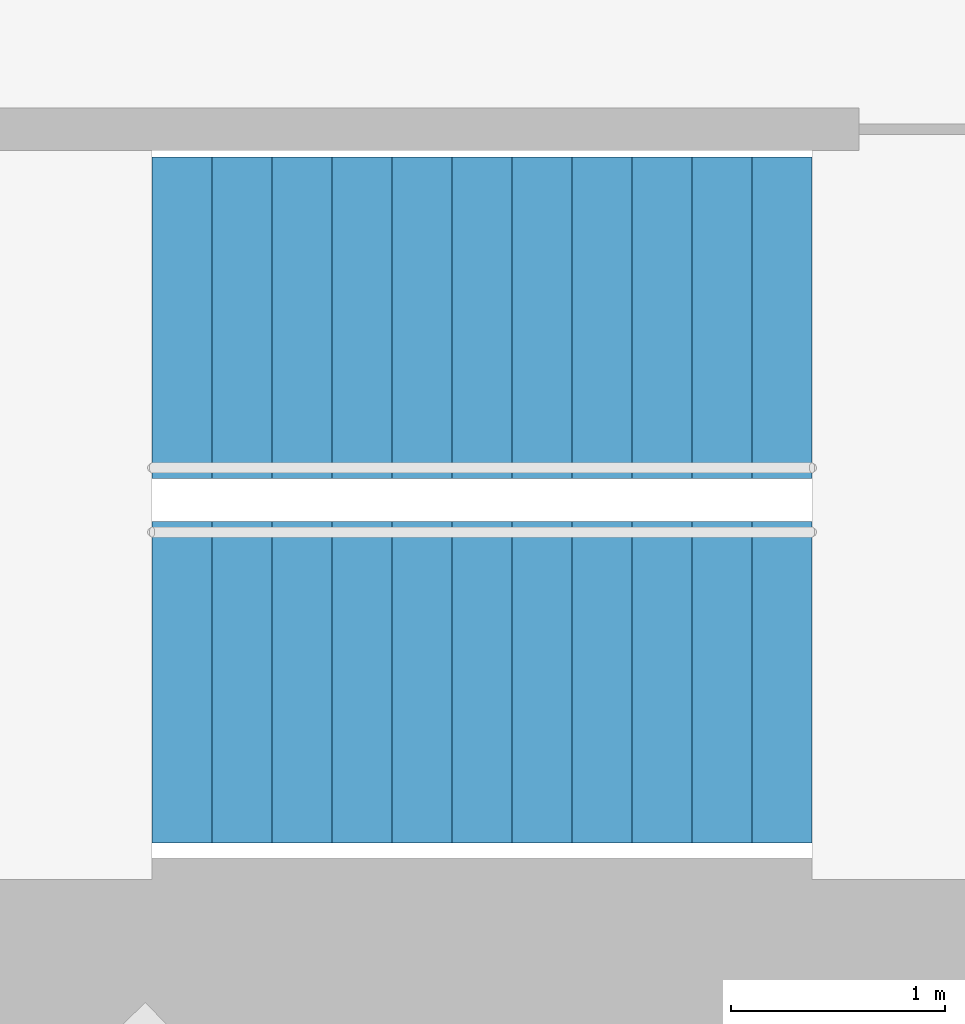
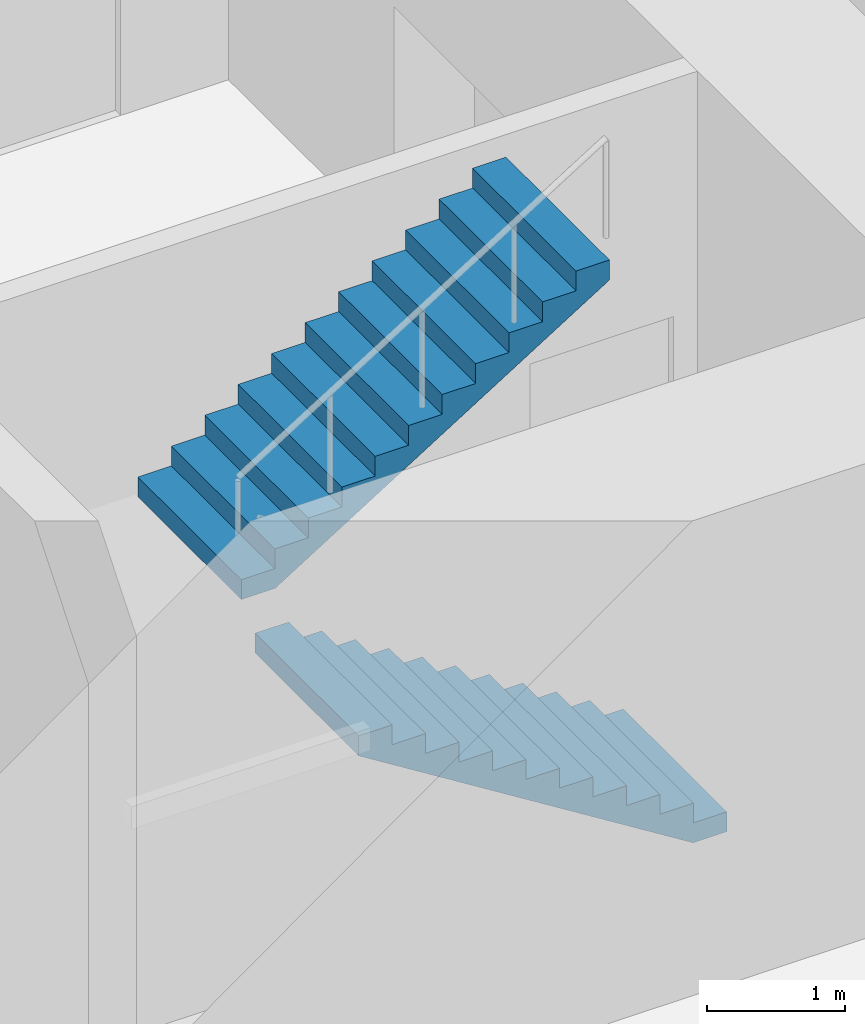
# One storey, part 17 of 18: 2 stair flights, 1 element without a shape of its own.
"""IFC4 building model written with IfcOpenShell, lengths in metres."""

from ifc_helpers import new_model, si_unit, direction, frame, origin, place, context, subcontext, project, spatial, triangles, material, type_object, element, aggregate, save


model = new_model("IFC4")

# Units and contexts
model_context = context("Model", 3, precision=1e-05, world=origin(), true_north=direction((0.0, 1.0)))
body_context = subcontext(model_context, "Body", "Model", "MODEL_VIEW")
ifc_project = project(units=[si_unit("LENGTHUNIT", "METRE"), si_unit("AREAUNIT", "SQUARE_METRE"), si_unit("VOLUMEUNIT", "CUBIC_METRE"), si_unit("PLANEANGLEUNIT", "RADIAN"), si_unit("MASSUNIT", "GRAM", prefix="KILO")], contexts=[model_context])

# Site, building, storey
site_placement = place(None, origin())
site = spatial("IfcSite", under=ifc_project, at=site_placement, CompositionType="ELEMENT")
building_placement = place(site_placement, origin())
building = spatial("IfcBuilding", under=site, at=building_placement, Name="Lantaw Convention Tower", CompositionType="ELEMENT")
storey_placement = place(building_placement, frame((0.0, 0.0, 184.60009765625)))
storey = spatial("IfcBuildingStorey", under=building, at=storey_placement, Name="L43", CompositionType="ELEMENT", Elevation=184.60009765625)

# Stair, stair flights
ifc_material = material(Name="Concrete C35/45", Category="concrete")
stair_type = type_object("IfcStairType", Name="Exit stair 1500 riser 175 in 2 flights", PredefinedType="HALF_TURN_STAIR", material=ifc_material)
stair_placement = place(storey_placement, origin())
stair = element("IfcStair", 1, at=stair_placement, inside=storey, type_object=stair_type, Name="Exit stair S2 L43", PredefinedType="HALF_TURN_STAIR")
stair_flight_type = type_object("IfcStairFlightType", Name="Stair flight 1500 riser 175", PredefinedType="STRAIGHT", material=ifc_material)
stair_flight_1_placement = place(storey_placement, frame((10.580078125, -5.97998046875, 0.0), z_axis=(0.0, 0.0, 1.0), x_axis=(-1.0, 0.0, 0.0)))
stair_flight_1 = element("IfcStairFlight", 2, at=stair_flight_1_placement, type_object=stair_flight_type, Name="S2 flight 1", NumberOfRisers=12, NumberOfTreads=11, PredefinedType="STRAIGHT", RiserHeight=0.175, TreadLength=0.28, context=body_context, shape_type="Tessellation", body=[
    triangles([(0.0, 0.75, 0.0), (0.0, 0.75, 0.175), (0.28, 0.75, 0.0), (0.28, 0.75, 0.175), (0.28, 0.75, 0.35), (0.28283517651771284, 0.75, 0.0), (0.28283517651771284, 0.75, 0.35), (0.56, 0.75, 0.17322801467642948), (0.56, 0.75, 0.35), (0.56, 0.75, 0.5249999999999999), (0.8400000000000001, 0.75, 0.34822801467642944), (0.8400000000000001, 0.75, 0.5249999999999999), (0.8400000000000001, 0.75, 0.7), (1.12, 0.75, 0.5232280146764294), (1.12, 0.75, 0.7), (1.12, 0.75, 0.875), (1.4000000000000001, 0.75, 0.6982280146764295), (1.4000000000000001, 0.75, 0.875), (1.4000000000000001, 0.75, 1.0499999999999998), (1.6800000000000002, 0.75, 0.8732280146764294), (1.6800000000000002, 0.75, 1.0499999999999998), (1.6800000000000002, 0.75, 1.2249999999999999), (1.9600000000000002, 0.75, 1.0482280146764293), (1.9600000000000002, 0.75, 1.2249999999999999), (1.9600000000000002, 0.75, 1.4), (2.24, 0.75, 1.2232280146764294), (2.24, 0.75, 1.4), (2.24, 0.75, 1.575), (2.5200000000000005, 0.75, 1.3982280146764294), (2.5200000000000005, 0.75, 1.575), (2.5200000000000005, 0.75, 1.75), (2.8000000000000003, 0.75, 1.5732280146764293), (2.8000000000000003, 0.75, 1.75), (2.8000000000000003, 0.75, 1.9249999999999998), (3.08, 0.75, 1.7482280146764293), (3.08, 0.75, 1.9249999999999998), (0.0, -0.75, 0.0), (0.0, -0.75, 0.175), (0.28, -0.75, 0.0), (0.28, -0.75, 0.175), (0.28, -0.75, 0.35), (0.28283517651771284, -0.75, 0.0), (0.28283517651771284, -0.75, 0.35), (0.56, -0.75, 0.17322801467642948), (0.56, -0.75, 0.35), (0.56, -0.75, 0.5249999999999999), (0.8400000000000001, -0.75, 0.34822801467642944), (0.8400000000000001, -0.75, 0.5249999999999999), (0.8400000000000001, -0.75, 0.7), (1.12, -0.75, 0.5232280146764294), (1.12, -0.75, 0.7), (1.12, -0.75, 0.875), (1.4000000000000001, -0.75, 0.6982280146764295), (1.4000000000000001, -0.75, 0.875), (1.4000000000000001, -0.75, 1.0499999999999998), (1.6800000000000002, -0.75, 0.8732280146764294), (1.6800000000000002, -0.75, 1.0499999999999998), (1.6800000000000002, -0.75, 1.2249999999999999), (1.9600000000000002, -0.75, 1.0482280146764293), (1.9600000000000002, -0.75, 1.2249999999999999), (1.9600000000000002, -0.75, 1.4), (2.24, -0.75, 1.2232280146764294), (2.24, -0.75, 1.4), (2.24, -0.75, 1.575), (2.5200000000000005, -0.75, 1.3982280146764294), (2.5200000000000005, -0.75, 1.575), (2.5200000000000005, -0.75, 1.75), (2.8000000000000003, -0.75, 1.5732280146764293), (2.8000000000000003, -0.75, 1.75), (2.8000000000000003, -0.75, 1.9249999999999998), (3.08, -0.75, 1.7482280146764293), (3.08, -0.75, 1.9249999999999998), (0.0, 0.15000000000000002, 0.175), (0.0, 0.15000000000000002, 0.0), (0.0, 0.0, 0.175), (0.0, 0.0, 0.0), (0.0, -0.15000000000000002, 0.175), (0.0, -0.15000000000000002, 0.0), (0.28, 0.15000000000000002, 0.35), (0.28, 0.15000000000000002, 0.175), (0.28, 0.0, 0.35), (0.28, 0.0, 0.175), (0.28, -0.15000000000000002, 0.35), (0.28, -0.15000000000000002, 0.175), (0.56, 0.15000000000000002, 0.5249999999999999), (0.56, 0.15000000000000002, 0.35), (0.56, 0.0, 0.5249999999999999), (0.56, 0.0, 0.35), (0.56, -0.15000000000000002, 0.5249999999999999), (0.56, -0.15000000000000002, 0.35), (0.8400000000000001, 0.15000000000000002, 0.7), (0.8400000000000001, 0.15000000000000002, 0.5249999999999999), (0.8400000000000001, 0.0, 0.7), (0.8400000000000001, 0.0, 0.5249999999999999), (0.8400000000000001, -0.15000000000000002, 0.7), (0.8400000000000001, -0.15000000000000002, 0.5249999999999999), (1.12, 0.15000000000000002, 0.875), (1.12, 0.15000000000000002, 0.7), (1.12, 0.0, 0.875), (1.12, 0.0, 0.7), (1.12, -0.15000000000000002, 0.875), (1.12, -0.15000000000000002, 0.7), (1.4000000000000001, 0.15000000000000002, 1.0499999999999998), (1.4000000000000001, 0.15000000000000002, 0.875), (1.4000000000000001, 0.0, 1.0499999999999998), (1.4000000000000001, 0.0, 0.875), (1.4000000000000001, -0.15000000000000002, 1.0499999999999998), (1.4000000000000001, -0.15000000000000002, 0.875), (1.6800000000000002, 0.15000000000000002, 1.2249999999999999), (1.6800000000000002, 0.15000000000000002, 1.0499999999999998), (1.6800000000000002, 0.0, 1.2249999999999999), (1.6800000000000002, 0.0, 1.0499999999999998), (1.6800000000000002, -0.15000000000000002, 1.2249999999999999), (1.6800000000000002, -0.15000000000000002, 1.0499999999999998), (1.9600000000000002, 0.15000000000000002, 1.4), (1.9600000000000002, 0.15000000000000002, 1.2249999999999999), (1.9600000000000002, 0.0, 1.4), (1.9600000000000002, 0.0, 1.2249999999999999), (1.9600000000000002, -0.15000000000000002, 1.4), (1.9600000000000002, -0.15000000000000002, 1.2249999999999999), (2.24, 0.15000000000000002, 1.575), (2.24, 0.15000000000000002, 1.4), (2.24, 0.0, 1.575), (2.24, 0.0, 1.4), (2.24, -0.15000000000000002, 1.575), (2.24, -0.15000000000000002, 1.4), (2.5200000000000005, 0.15000000000000002, 1.75), (2.5200000000000005, 0.15000000000000002, 1.575), (2.5200000000000005, 0.0, 1.75), (2.5200000000000005, 0.0, 1.575), (2.5200000000000005, -0.15000000000000002, 1.75), (2.5200000000000005, -0.15000000000000002, 1.575), (2.8000000000000003, 0.15000000000000002, 1.9249999999999998), (2.8000000000000003, 0.15000000000000002, 1.75), (2.8000000000000003, 0.0, 1.9249999999999998), (2.8000000000000003, 0.0, 1.75), (2.8000000000000003, -0.15000000000000002, 1.9249999999999998), (2.8000000000000003, -0.15000000000000002, 1.75), (0.28283517651771284, 0.15000000000000002, 0.35), (0.28283517651771284, 0.0, 0.35), (0.28283517651771284, -0.15000000000000002, 0.35), (3.08, 0.15000000000000002, 1.9249999999999998), (3.08, 0.0, 1.9249999999999998), (3.08, -0.15000000000000002, 1.9249999999999998), (3.08, 0.15000000000000002, 1.7482280146764293), (3.08, 0.0, 1.7482280146764293), (3.08, -0.15000000000000002, 1.7482280146764293), (2.8000000000000003, 0.15000000000000002, 1.5732280146764293), (2.8000000000000003, 0.0, 1.5732280146764293), (2.8000000000000003, -0.15000000000000002, 1.5732280146764293), (2.5200000000000005, 0.15000000000000002, 1.3982280146764294), (2.5200000000000005, 0.0, 1.3982280146764294), (2.5200000000000005, -0.15000000000000002, 1.3982280146764294), (2.24, 0.15000000000000002, 1.2232280146764294), (2.24, 0.0, 1.2232280146764294), (2.24, -0.15000000000000002, 1.2232280146764294), (1.9600000000000002, 0.15000000000000002, 1.0482280146764293), (1.9600000000000002, 0.0, 1.0482280146764293), (1.9600000000000002, -0.15000000000000002, 1.0482280146764293), (1.6800000000000002, 0.15000000000000002, 0.8732280146764294), (1.6800000000000002, 0.0, 0.8732280146764294), (1.6800000000000002, -0.15000000000000002, 0.8732280146764294), (1.4000000000000001, 0.15000000000000002, 0.6982280146764295), (1.4000000000000001, 0.0, 0.6982280146764295), (1.4000000000000001, -0.15000000000000002, 0.6982280146764295), (1.12, 0.15000000000000002, 0.5232280146764294), (1.12, 0.0, 0.5232280146764294), (1.12, -0.15000000000000002, 0.5232280146764294), (0.8400000000000001, 0.15000000000000002, 0.34822801467642944), (0.8400000000000001, 0.0, 0.34822801467642944), (0.8400000000000001, -0.15000000000000002, 0.34822801467642944), (0.56, 0.15000000000000002, 0.17322801467642948), (0.56, 0.0, 0.17322801467642948), (0.56, -0.15000000000000002, 0.17322801467642948), (0.28283517651771284, 0.15000000000000002, 0.0), (0.28283517651771284, 0.0, 0.0), (0.28283517651771284, -0.15000000000000002, 0.0), (0.28, 0.15000000000000002, 0.0), (0.28, 0.0, 0.0), (0.28, -0.15000000000000002, 0.0)], [[1, 4, 3], [1, 2, 4], [3, 4, 6], [4, 7, 6], [4, 5, 7], [6, 9, 8], [6, 7, 9], [8, 9, 11], [9, 12, 11], [9, 10, 12], [11, 12, 14], [12, 15, 14], [12, 13, 15], [14, 15, 17], [15, 18, 17], [15, 16, 18], [17, 18, 20], [18, 21, 20], [18, 19, 21], [20, 21, 23], [21, 24, 23], [21, 22, 24], [23, 24, 26], [24, 27, 26], [24, 25, 27], [26, 27, 29], [27, 30, 29], [27, 28, 30], [29, 30, 32], [30, 33, 32], [30, 31, 33], [32, 33, 35], [33, 36, 35], [33, 34, 36], [37, 39, 40], [37, 40, 38], [39, 42, 40], [40, 42, 43], [40, 43, 41], [42, 44, 45], [42, 45, 43], [44, 47, 45], [45, 47, 48], [45, 48, 46], [47, 50, 48], [48, 50, 51], [48, 51, 49], [50, 53, 51], [51, 53, 54], [51, 54, 52], [53, 56, 54], [54, 56, 57], [54, 57, 55], [56, 59, 57], [57, 59, 60], [57, 60, 58], [59, 62, 60], [60, 62, 63], [60, 63, 61], [62, 65, 63], [63, 65, 66], [63, 66, 64], [65, 68, 66], [66, 68, 69], [66, 69, 67], [68, 71, 69], [69, 71, 72], [69, 72, 70], [1, 73, 2], [1, 74, 73], [74, 75, 73], [74, 76, 75], [76, 77, 75], [76, 78, 77], [78, 38, 77], [78, 37, 38], [4, 79, 5], [4, 80, 79], [80, 81, 79], [80, 82, 81], [82, 83, 81], [82, 84, 83], [84, 41, 83], [84, 40, 41], [9, 85, 10], [9, 86, 85], [86, 87, 85], [86, 88, 87], [88, 89, 87], [88, 90, 89], [90, 46, 89], [90, 45, 46], [12, 91, 13], [12, 92, 91], [92, 93, 91], [92, 94, 93], [94, 95, 93], [94, 96, 95], [96, 49, 95], [96, 48, 49], [15, 97, 16], [15, 98, 97], [98, 99, 97], [98, 100, 99], [100, 101, 99], [100, 102, 101], [102, 52, 101], [102, 51, 52], [18, 103, 19], [18, 104, 103], [104, 105, 103], [104, 106, 105], [106, 107, 105], [106, 108, 107], [108, 55, 107], [108, 54, 55], [21, 109, 22], [21, 110, 109], [110, 111, 109], [110, 112, 111], [112, 113, 111], [112, 114, 113], [114, 58, 113], [114, 57, 58], [24, 115, 25], [24, 116, 115], [116, 117, 115], [116, 118, 117], [118, 119, 117], [118, 120, 119], [120, 61, 119], [120, 60, 61], [27, 121, 28], [27, 122, 121], [122, 123, 121], [122, 124, 123], [124, 125, 123], [124, 126, 125], [126, 64, 125], [126, 63, 64], [30, 127, 31], [30, 128, 127], [128, 129, 127], [128, 130, 129], [130, 131, 129], [130, 132, 131], [132, 67, 131], [132, 66, 67], [33, 133, 34], [33, 134, 133], [134, 135, 133], [134, 136, 135], [136, 137, 135], [136, 138, 137], [138, 70, 137], [138, 69, 70], [2, 80, 4], [2, 73, 80], [73, 82, 80], [73, 75, 82], [75, 84, 82], [75, 77, 84], [77, 40, 84], [77, 38, 40], [5, 139, 7], [5, 79, 139], [79, 140, 139], [79, 81, 140], [81, 141, 140], [81, 83, 141], [83, 43, 141], [83, 41, 43], [7, 86, 9], [7, 139, 86], [139, 88, 86], [139, 140, 88], [140, 90, 88], [140, 141, 90], [141, 45, 90], [141, 43, 45], [10, 92, 12], [10, 85, 92], [85, 94, 92], [85, 87, 94], [87, 96, 94], [87, 89, 96], [89, 48, 96], [89, 46, 48], [13, 98, 15], [13, 91, 98], [91, 100, 98], [91, 93, 100], [93, 102, 100], [93, 95, 102], [95, 51, 102], [95, 49, 51], [16, 104, 18], [16, 97, 104], [97, 106, 104], [97, 99, 106], [99, 108, 106], [99, 101, 108], [101, 54, 108], [101, 52, 54], [19, 110, 21], [19, 103, 110], [103, 112, 110], [103, 105, 112], [105, 114, 112], [105, 107, 114], [107, 57, 114], [107, 55, 57], [22, 116, 24], [22, 109, 116], [109, 118, 116], [109, 111, 118], [111, 120, 118], [111, 113, 120], [113, 60, 120], [113, 58, 60], [25, 122, 27], [25, 115, 122], [115, 124, 122], [115, 117, 124], [117, 126, 124], [117, 119, 126], [119, 63, 126], [119, 61, 63], [28, 128, 30], [28, 121, 128], [121, 130, 128], [121, 123, 130], [123, 132, 130], [123, 125, 132], [125, 66, 132], [125, 64, 66], [31, 134, 33], [31, 127, 134], [127, 136, 134], [127, 129, 136], [129, 138, 136], [129, 131, 138], [131, 69, 138], [131, 67, 69], [34, 142, 36], [34, 133, 142], [133, 143, 142], [133, 135, 143], [135, 144, 143], [135, 137, 144], [137, 72, 144], [137, 70, 72], [36, 145, 35], [36, 142, 145], [142, 146, 145], [142, 143, 146], [143, 147, 146], [143, 144, 147], [144, 71, 147], [144, 72, 71], [35, 148, 32], [35, 145, 148], [145, 149, 148], [145, 146, 149], [146, 150, 149], [146, 147, 150], [147, 68, 150], [147, 71, 68], [32, 151, 29], [32, 148, 151], [148, 152, 151], [148, 149, 152], [149, 153, 152], [149, 150, 153], [150, 65, 153], [150, 68, 65], [29, 154, 26], [29, 151, 154], [151, 155, 154], [151, 152, 155], [152, 156, 155], [152, 153, 156], [153, 62, 156], [153, 65, 62], [26, 157, 23], [26, 154, 157], [154, 158, 157], [154, 155, 158], [155, 159, 158], [155, 156, 159], [156, 59, 159], [156, 62, 59], [23, 160, 20], [23, 157, 160], [157, 161, 160], [157, 158, 161], [158, 162, 161], [158, 159, 162], [159, 56, 162], [159, 59, 56], [20, 163, 17], [20, 160, 163], [160, 164, 163], [160, 161, 164], [161, 165, 164], [161, 162, 165], [162, 53, 165], [162, 56, 53], [17, 166, 14], [17, 163, 166], [163, 167, 166], [163, 164, 167], [164, 168, 167], [164, 165, 168], [165, 50, 168], [165, 53, 50], [14, 169, 11], [14, 166, 169], [166, 170, 169], [166, 167, 170], [167, 171, 170], [167, 168, 171], [168, 47, 171], [168, 50, 47], [11, 172, 8], [11, 169, 172], [169, 173, 172], [169, 170, 173], [170, 174, 173], [170, 171, 174], [171, 44, 174], [171, 47, 44], [8, 175, 6], [8, 172, 175], [172, 176, 175], [172, 173, 176], [173, 177, 176], [173, 174, 177], [174, 42, 177], [174, 44, 42], [6, 178, 3], [6, 175, 178], [175, 179, 178], [175, 176, 179], [176, 180, 179], [176, 177, 180], [177, 39, 180], [177, 42, 39], [3, 74, 1], [3, 178, 74], [178, 76, 74], [178, 179, 76], [179, 78, 76], [179, 180, 78], [180, 37, 78], [180, 39, 37]], closed=True),
])
stair_flight_2_placement = place(storey_placement, frame((7.5, -4.280029296875, 2.099853515625), z_axis=(0.0, 0.0, 1.0), x_axis=(1.0, 0.0, 0.0)))
stair_flight_2 = element("IfcStairFlight", 3, at=stair_flight_2_placement, type_object=stair_flight_type, Name="S2 flight 2", NumberOfRisers=12, NumberOfTreads=11, PredefinedType="STRAIGHT", RiserHeight=0.175, TreadLength=0.28, context=body_context, shape_type="Tessellation", body=[
    triangles([(0.0, 0.75, 0.0), (0.0, 0.75, 0.175), (0.28, 0.75, 0.0), (0.28, 0.75, 0.175), (0.28, 0.75, 0.35), (0.28283517651771284, 0.75, 0.0), (0.28283517651771284, 0.75, 0.35), (0.56, 0.75, 0.17322801467642948), (0.56, 0.75, 0.35), (0.56, 0.75, 0.5249999999999999), (0.8400000000000001, 0.75, 0.34822801467642944), (0.8400000000000001, 0.75, 0.5249999999999999), (0.8400000000000001, 0.75, 0.7), (1.12, 0.75, 0.5232280146764294), (1.12, 0.75, 0.7), (1.12, 0.75, 0.875), (1.4000000000000001, 0.75, 0.6982280146764295), (1.4000000000000001, 0.75, 0.875), (1.4000000000000001, 0.75, 1.0499999999999998), (1.6800000000000002, 0.75, 0.8732280146764294), (1.6800000000000002, 0.75, 1.0499999999999998), (1.6800000000000002, 0.75, 1.2249999999999999), (1.9600000000000002, 0.75, 1.0482280146764293), (1.9600000000000002, 0.75, 1.2249999999999999), (1.9600000000000002, 0.75, 1.4), (2.24, 0.75, 1.2232280146764294), (2.24, 0.75, 1.4), (2.24, 0.75, 1.575), (2.5200000000000005, 0.75, 1.3982280146764294), (2.5200000000000005, 0.75, 1.575), (2.5200000000000005, 0.75, 1.75), (2.8000000000000003, 0.75, 1.5732280146764293), (2.8000000000000003, 0.75, 1.75), (2.8000000000000003, 0.75, 1.9249999999999998), (3.08, 0.75, 1.7482280146764293), (3.08, 0.75, 1.9249999999999998), (0.0, -0.75, 0.0), (0.0, -0.75, 0.175), (0.28, -0.75, 0.0), (0.28, -0.75, 0.175), (0.28, -0.75, 0.35), (0.28283517651771284, -0.75, 0.0), (0.28283517651771284, -0.75, 0.35), (0.56, -0.75, 0.17322801467642948), (0.56, -0.75, 0.35), (0.56, -0.75, 0.5249999999999999), (0.8400000000000001, -0.75, 0.34822801467642944), (0.8400000000000001, -0.75, 0.5249999999999999), (0.8400000000000001, -0.75, 0.7), (1.12, -0.75, 0.5232280146764294), (1.12, -0.75, 0.7), (1.12, -0.75, 0.875), (1.4000000000000001, -0.75, 0.6982280146764295), (1.4000000000000001, -0.75, 0.875), (1.4000000000000001, -0.75, 1.0499999999999998), (1.6800000000000002, -0.75, 0.8732280146764294), (1.6800000000000002, -0.75, 1.0499999999999998), (1.6800000000000002, -0.75, 1.2249999999999999), (1.9600000000000002, -0.75, 1.0482280146764293), (1.9600000000000002, -0.75, 1.2249999999999999), (1.9600000000000002, -0.75, 1.4), (2.24, -0.75, 1.2232280146764294), (2.24, -0.75, 1.4), (2.24, -0.75, 1.575), (2.5200000000000005, -0.75, 1.3982280146764294), (2.5200000000000005, -0.75, 1.575), (2.5200000000000005, -0.75, 1.75), (2.8000000000000003, -0.75, 1.5732280146764293), (2.8000000000000003, -0.75, 1.75), (2.8000000000000003, -0.75, 1.9249999999999998), (3.08, -0.75, 1.7482280146764293), (3.08, -0.75, 1.9249999999999998), (0.0, 0.15000000000000002, 0.175), (0.0, 0.15000000000000002, 0.0), (0.0, 0.0, 0.175), (0.0, 0.0, 0.0), (0.0, -0.15000000000000002, 0.175), (0.0, -0.15000000000000002, 0.0), (0.28, 0.15000000000000002, 0.35), (0.28, 0.15000000000000002, 0.175), (0.28, 0.0, 0.35), (0.28, 0.0, 0.175), (0.28, -0.15000000000000002, 0.35), (0.28, -0.15000000000000002, 0.175), (0.56, 0.15000000000000002, 0.5249999999999999), (0.56, 0.15000000000000002, 0.35), (0.56, 0.0, 0.5249999999999999), (0.56, 0.0, 0.35), (0.56, -0.15000000000000002, 0.5249999999999999), (0.56, -0.15000000000000002, 0.35), (0.8400000000000001, 0.15000000000000002, 0.7), (0.8400000000000001, 0.15000000000000002, 0.5249999999999999), (0.8400000000000001, 0.0, 0.7), (0.8400000000000001, 0.0, 0.5249999999999999), (0.8400000000000001, -0.15000000000000002, 0.7), (0.8400000000000001, -0.15000000000000002, 0.5249999999999999), (1.12, 0.15000000000000002, 0.875), (1.12, 0.15000000000000002, 0.7), (1.12, 0.0, 0.875), (1.12, 0.0, 0.7), (1.12, -0.15000000000000002, 0.875), (1.12, -0.15000000000000002, 0.7), (1.4000000000000001, 0.15000000000000002, 1.0499999999999998), (1.4000000000000001, 0.15000000000000002, 0.875), (1.4000000000000001, 0.0, 1.0499999999999998), (1.4000000000000001, 0.0, 0.875), (1.4000000000000001, -0.15000000000000002, 1.0499999999999998), (1.4000000000000001, -0.15000000000000002, 0.875), (1.6800000000000002, 0.15000000000000002, 1.2249999999999999), (1.6800000000000002, 0.15000000000000002, 1.0499999999999998), (1.6800000000000002, 0.0, 1.2249999999999999), (1.6800000000000002, 0.0, 1.0499999999999998), (1.6800000000000002, -0.15000000000000002, 1.2249999999999999), (1.6800000000000002, -0.15000000000000002, 1.0499999999999998), (1.9600000000000002, 0.15000000000000002, 1.4), (1.9600000000000002, 0.15000000000000002, 1.2249999999999999), (1.9600000000000002, 0.0, 1.4), (1.9600000000000002, 0.0, 1.2249999999999999), (1.9600000000000002, -0.15000000000000002, 1.4), (1.9600000000000002, -0.15000000000000002, 1.2249999999999999), (2.24, 0.15000000000000002, 1.575), (2.24, 0.15000000000000002, 1.4), (2.24, 0.0, 1.575), (2.24, 0.0, 1.4), (2.24, -0.15000000000000002, 1.575), (2.24, -0.15000000000000002, 1.4), (2.5200000000000005, 0.15000000000000002, 1.75), (2.5200000000000005, 0.15000000000000002, 1.575), (2.5200000000000005, 0.0, 1.75), (2.5200000000000005, 0.0, 1.575), (2.5200000000000005, -0.15000000000000002, 1.75), (2.5200000000000005, -0.15000000000000002, 1.575), (2.8000000000000003, 0.15000000000000002, 1.9249999999999998), (2.8000000000000003, 0.15000000000000002, 1.75), (2.8000000000000003, 0.0, 1.9249999999999998), (2.8000000000000003, 0.0, 1.75), (2.8000000000000003, -0.15000000000000002, 1.9249999999999998), (2.8000000000000003, -0.15000000000000002, 1.75), (0.28283517651771284, 0.15000000000000002, 0.35), (0.28283517651771284, 0.0, 0.35), (0.28283517651771284, -0.15000000000000002, 0.35), (3.08, 0.15000000000000002, 1.9249999999999998), (3.08, 0.0, 1.9249999999999998), (3.08, -0.15000000000000002, 1.9249999999999998), (3.08, 0.15000000000000002, 1.7482280146764293), (3.08, 0.0, 1.7482280146764293), (3.08, -0.15000000000000002, 1.7482280146764293), (2.8000000000000003, 0.15000000000000002, 1.5732280146764293), (2.8000000000000003, 0.0, 1.5732280146764293), (2.8000000000000003, -0.15000000000000002, 1.5732280146764293), (2.5200000000000005, 0.15000000000000002, 1.3982280146764294), (2.5200000000000005, 0.0, 1.3982280146764294), (2.5200000000000005, -0.15000000000000002, 1.3982280146764294), (2.24, 0.15000000000000002, 1.2232280146764294), (2.24, 0.0, 1.2232280146764294), (2.24, -0.15000000000000002, 1.2232280146764294), (1.9600000000000002, 0.15000000000000002, 1.0482280146764293), (1.9600000000000002, 0.0, 1.0482280146764293), (1.9600000000000002, -0.15000000000000002, 1.0482280146764293), (1.6800000000000002, 0.15000000000000002, 0.8732280146764294), (1.6800000000000002, 0.0, 0.8732280146764294), (1.6800000000000002, -0.15000000000000002, 0.8732280146764294), (1.4000000000000001, 0.15000000000000002, 0.6982280146764295), (1.4000000000000001, 0.0, 0.6982280146764295), (1.4000000000000001, -0.15000000000000002, 0.6982280146764295), (1.12, 0.15000000000000002, 0.5232280146764294), (1.12, 0.0, 0.5232280146764294), (1.12, -0.15000000000000002, 0.5232280146764294), (0.8400000000000001, 0.15000000000000002, 0.34822801467642944), (0.8400000000000001, 0.0, 0.34822801467642944), (0.8400000000000001, -0.15000000000000002, 0.34822801467642944), (0.56, 0.15000000000000002, 0.17322801467642948), (0.56, 0.0, 0.17322801467642948), (0.56, -0.15000000000000002, 0.17322801467642948), (0.28283517651771284, 0.15000000000000002, 0.0), (0.28283517651771284, 0.0, 0.0), (0.28283517651771284, -0.15000000000000002, 0.0), (0.28, 0.15000000000000002, 0.0), (0.28, 0.0, 0.0), (0.28, -0.15000000000000002, 0.0)], [[1, 4, 3], [1, 2, 4], [3, 4, 6], [4, 7, 6], [4, 5, 7], [6, 9, 8], [6, 7, 9], [8, 9, 11], [9, 12, 11], [9, 10, 12], [11, 12, 14], [12, 15, 14], [12, 13, 15], [14, 15, 17], [15, 18, 17], [15, 16, 18], [17, 18, 20], [18, 21, 20], [18, 19, 21], [20, 21, 23], [21, 24, 23], [21, 22, 24], [23, 24, 26], [24, 27, 26], [24, 25, 27], [26, 27, 29], [27, 30, 29], [27, 28, 30], [29, 30, 32], [30, 33, 32], [30, 31, 33], [32, 33, 35], [33, 36, 35], [33, 34, 36], [37, 39, 40], [37, 40, 38], [39, 42, 40], [40, 42, 43], [40, 43, 41], [42, 44, 45], [42, 45, 43], [44, 47, 45], [45, 47, 48], [45, 48, 46], [47, 50, 48], [48, 50, 51], [48, 51, 49], [50, 53, 51], [51, 53, 54], [51, 54, 52], [53, 56, 54], [54, 56, 57], [54, 57, 55], [56, 59, 57], [57, 59, 60], [57, 60, 58], [59, 62, 60], [60, 62, 63], [60, 63, 61], [62, 65, 63], [63, 65, 66], [63, 66, 64], [65, 68, 66], [66, 68, 69], [66, 69, 67], [68, 71, 69], [69, 71, 72], [69, 72, 70], [1, 73, 2], [1, 74, 73], [74, 75, 73], [74, 76, 75], [76, 77, 75], [76, 78, 77], [78, 38, 77], [78, 37, 38], [4, 79, 5], [4, 80, 79], [80, 81, 79], [80, 82, 81], [82, 83, 81], [82, 84, 83], [84, 41, 83], [84, 40, 41], [9, 85, 10], [9, 86, 85], [86, 87, 85], [86, 88, 87], [88, 89, 87], [88, 90, 89], [90, 46, 89], [90, 45, 46], [12, 91, 13], [12, 92, 91], [92, 93, 91], [92, 94, 93], [94, 95, 93], [94, 96, 95], [96, 49, 95], [96, 48, 49], [15, 97, 16], [15, 98, 97], [98, 99, 97], [98, 100, 99], [100, 101, 99], [100, 102, 101], [102, 52, 101], [102, 51, 52], [18, 103, 19], [18, 104, 103], [104, 105, 103], [104, 106, 105], [106, 107, 105], [106, 108, 107], [108, 55, 107], [108, 54, 55], [21, 109, 22], [21, 110, 109], [110, 111, 109], [110, 112, 111], [112, 113, 111], [112, 114, 113], [114, 58, 113], [114, 57, 58], [24, 115, 25], [24, 116, 115], [116, 117, 115], [116, 118, 117], [118, 119, 117], [118, 120, 119], [120, 61, 119], [120, 60, 61], [27, 121, 28], [27, 122, 121], [122, 123, 121], [122, 124, 123], [124, 125, 123], [124, 126, 125], [126, 64, 125], [126, 63, 64], [30, 127, 31], [30, 128, 127], [128, 129, 127], [128, 130, 129], [130, 131, 129], [130, 132, 131], [132, 67, 131], [132, 66, 67], [33, 133, 34], [33, 134, 133], [134, 135, 133], [134, 136, 135], [136, 137, 135], [136, 138, 137], [138, 70, 137], [138, 69, 70], [2, 80, 4], [2, 73, 80], [73, 82, 80], [73, 75, 82], [75, 84, 82], [75, 77, 84], [77, 40, 84], [77, 38, 40], [5, 139, 7], [5, 79, 139], [79, 140, 139], [79, 81, 140], [81, 141, 140], [81, 83, 141], [83, 43, 141], [83, 41, 43], [7, 86, 9], [7, 139, 86], [139, 88, 86], [139, 140, 88], [140, 90, 88], [140, 141, 90], [141, 45, 90], [141, 43, 45], [10, 92, 12], [10, 85, 92], [85, 94, 92], [85, 87, 94], [87, 96, 94], [87, 89, 96], [89, 48, 96], [89, 46, 48], [13, 98, 15], [13, 91, 98], [91, 100, 98], [91, 93, 100], [93, 102, 100], [93, 95, 102], [95, 51, 102], [95, 49, 51], [16, 104, 18], [16, 97, 104], [97, 106, 104], [97, 99, 106], [99, 108, 106], [99, 101, 108], [101, 54, 108], [101, 52, 54], [19, 110, 21], [19, 103, 110], [103, 112, 110], [103, 105, 112], [105, 114, 112], [105, 107, 114], [107, 57, 114], [107, 55, 57], [22, 116, 24], [22, 109, 116], [109, 118, 116], [109, 111, 118], [111, 120, 118], [111, 113, 120], [113, 60, 120], [113, 58, 60], [25, 122, 27], [25, 115, 122], [115, 124, 122], [115, 117, 124], [117, 126, 124], [117, 119, 126], [119, 63, 126], [119, 61, 63], [28, 128, 30], [28, 121, 128], [121, 130, 128], [121, 123, 130], [123, 132, 130], [123, 125, 132], [125, 66, 132], [125, 64, 66], [31, 134, 33], [31, 127, 134], [127, 136, 134], [127, 129, 136], [129, 138, 136], [129, 131, 138], [131, 69, 138], [131, 67, 69], [34, 142, 36], [34, 133, 142], [133, 143, 142], [133, 135, 143], [135, 144, 143], [135, 137, 144], [137, 72, 144], [137, 70, 72], [36, 145, 35], [36, 142, 145], [142, 146, 145], [142, 143, 146], [143, 147, 146], [143, 144, 147], [144, 71, 147], [144, 72, 71], [35, 148, 32], [35, 145, 148], [145, 149, 148], [145, 146, 149], [146, 150, 149], [146, 147, 150], [147, 68, 150], [147, 71, 68], [32, 151, 29], [32, 148, 151], [148, 152, 151], [148, 149, 152], [149, 153, 152], [149, 150, 153], [150, 65, 153], [150, 68, 65], [29, 154, 26], [29, 151, 154], [151, 155, 154], [151, 152, 155], [152, 156, 155], [152, 153, 156], [153, 62, 156], [153, 65, 62], [26, 157, 23], [26, 154, 157], [154, 158, 157], [154, 155, 158], [155, 159, 158], [155, 156, 159], [156, 59, 159], [156, 62, 59], [23, 160, 20], [23, 157, 160], [157, 161, 160], [157, 158, 161], [158, 162, 161], [158, 159, 162], [159, 56, 162], [159, 59, 56], [20, 163, 17], [20, 160, 163], [160, 164, 163], [160, 161, 164], [161, 165, 164], [161, 162, 165], [162, 53, 165], [162, 56, 53], [17, 166, 14], [17, 163, 166], [163, 167, 166], [163, 164, 167], [164, 168, 167], [164, 165, 168], [165, 50, 168], [165, 53, 50], [14, 169, 11], [14, 166, 169], [166, 170, 169], [166, 167, 170], [167, 171, 170], [167, 168, 171], [168, 47, 171], [168, 50, 47], [11, 172, 8], [11, 169, 172], [169, 173, 172], [169, 170, 173], [170, 174, 173], [170, 171, 174], [171, 44, 174], [171, 47, 44], [8, 175, 6], [8, 172, 175], [172, 176, 175], [172, 173, 176], [173, 177, 176], [173, 174, 177], [174, 42, 177], [174, 44, 42], [6, 178, 3], [6, 175, 178], [175, 179, 178], [175, 176, 179], [176, 180, 179], [176, 177, 180], [177, 39, 180], [177, 42, 39], [3, 74, 1], [3, 178, 74], [178, 76, 74], [178, 179, 76], [179, 78, 76], [179, 180, 78], [180, 37, 78], [180, 39, 37]], closed=True),
])
aggregate(stair, [stair_flight_1, stair_flight_2])

save(model, "model.ifc")
